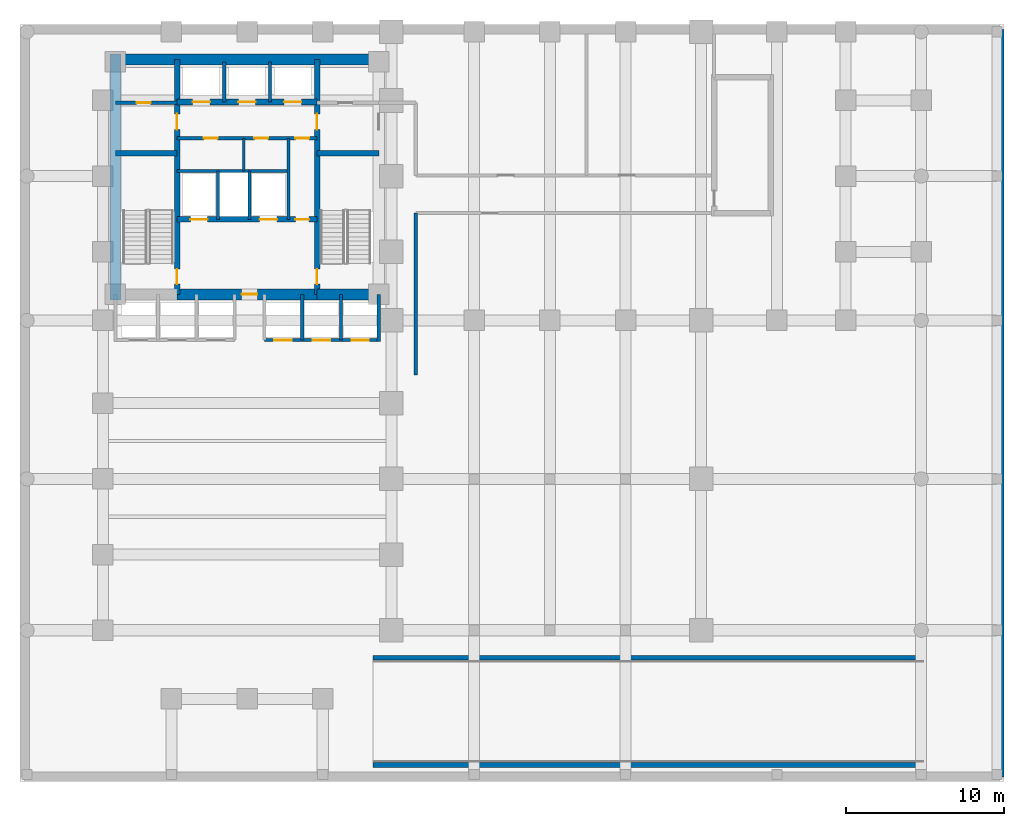
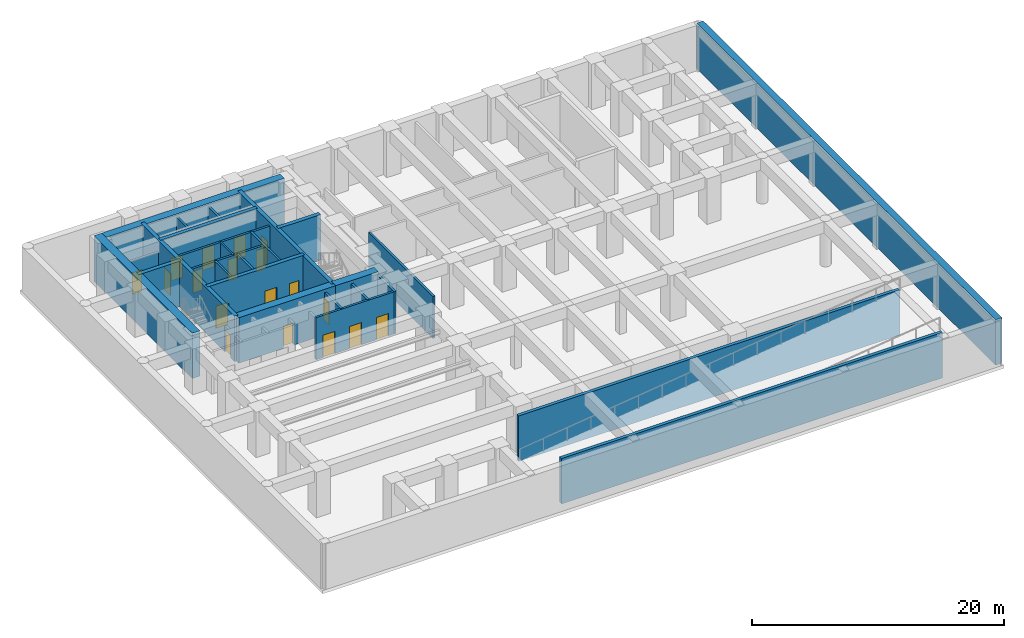
# One storey, part 3 of 6: 27 walls, 18 doors, 18 openings.
"""IFC4 building model written with IfcOpenShell, lengths in metres."""

from ifc_helpers import new_model, si_unit, direction, frame, frame_2d, origin, place, context, subcontext, project, spatial, rectangle, extrude, material, layer, layer_set, type_object, element, fill, save


model = new_model("IFC4")

# Units and contexts
model_context = context("Model", 3, precision=1e-05, world=origin(), true_north=direction((0.0, 1.0)))
body_context = subcontext(model_context, "Body", "Model", "MODEL_VIEW")
ifc_project = project(units=[si_unit("LENGTHUNIT", "METRE"), si_unit("AREAUNIT", "SQUARE_METRE"), si_unit("VOLUMEUNIT", "CUBIC_METRE"), si_unit("PLANEANGLEUNIT", "RADIAN"), si_unit("MASSUNIT", "GRAM", prefix="KILO")], contexts=[model_context])

# Site, building, storey
site_placement = place(None, origin())
site = spatial("IfcSite", under=ifc_project, at=site_placement, CompositionType="ELEMENT")
building_placement = place(site_placement, origin())
building = spatial("IfcBuilding", under=site, at=building_placement, Name="Orvandelia Arch Residences", CompositionType="ELEMENT")
storey_placement = place(building_placement, frame((0.0, 0.0, -8.800048828125)))
storey = spatial("IfcBuildingStorey", under=building, at=storey_placement, Name="B2", CompositionType="ELEMENT", Elevation=-8.800048828125)

# Wall, openings, doors
ifc_material_1 = material(Name="Concrete C50/60", Category="concrete")
ifc_layer_1 = layer(ifc_material_1, 0.35009765625, Name="Concrete C50/60", Category="concrete")
ifc_layer_set_1 = layer_set([ifc_layer_1], Name="Concrete C50/60")
wall_type_1 = type_object("IfcWallType", Name="WL-CORE-350", PredefinedType="SHEAR", material=ifc_layer_set_1)
wall_1_placement = place(storey_placement, frame((9.9599609375, 30.89990234375, 0.0), z_axis=(0.0, 0.0, 1.0), x_axis=(0.0, 1.0, 0.0)))
wall_1 = element("IfcWall", 1, at=wall_1_placement, inside=storey, type_object=wall_type_1, Name="Core Shear Wall B2-WEB1", PredefinedType="SHEAR", context=body_context, shape_type="SweptSolid", body=[
    extrude(rectangle(XDim=14.900146484375, YDim=0.35009765625, at=frame_2d((7.4501953125, 0.0))), origin(), (0.0, 0.0, 1.0), 4.400146484375),
])
opening_1_placement = place(wall_1_placement, frame((0.64990234375, 0.0, 0.0)))
opening_1 = element("IfcOpeningElement", 2, at=opening_1_placement, cuts=wall_1, Name="Opening D7", PredefinedType="OPENING", context=body_context, shape_type="SweptSolid", body=[
    extrude(rectangle(XDim=0.949951171875, YDim=2.10009765625, at=frame_2d((0.47509765625, 1.050048828125))), frame((0.0, 0.18505859375, 0.0), z_axis=(0.0, -1.0, 0.0), x_axis=(1.0, 0.0, 0.0)), (0.0, 0.0, 1.0), 0.3701171875),
])
opening_2_placement = place(wall_1_placement, frame((10.449951171875, 0.0, 0.0)))
opening_2 = element("IfcOpeningElement", 3, at=opening_2_placement, cuts=wall_1, Name="Opening D6", PredefinedType="OPENING", context=body_context, shape_type="SweptSolid", body=[
    extrude(rectangle(XDim=1.0, YDim=2.14990234375, at=frame_2d((0.5, 1.074951171875))), frame((0.0, 0.18505859375, 0.0), z_axis=(0.0, -1.0, 0.0), x_axis=(1.0, 0.0, 0.0)), (0.0, 0.0, 1.0), 0.3701171875),
])
ifc_material_2 = material(Name="Smokeproof Painted Steel Fire Door", Category="steel")
door_type_1 = type_object("IfcDoorType", Name="DR-FD60-1000", OperationType="NOTDEFINED", PredefinedType="DOOR", material=ifc_material_2)
door_1_placement = place(opening_2_placement, origin())
door_1 = element("IfcDoor", 4, at=door_1_placement, inside=storey, type_object=door_type_1, Name="High-Rise Lift Hall West Vestibule Door B2", OperationType="SINGLE_SWING_LEFT", OverallHeight=2.14990234375, OverallWidth=1.0, PredefinedType="DOOR", context=body_context, shape_type="SweptSolid", body=[
    extrude(rectangle(XDim=1.0, YDim=2.14990234375, at=frame_2d((0.5, 1.074951171875))), frame((0.0, 0.02490234375, 0.0), z_axis=(0.0, -1.0, 0.0), x_axis=(1.0, 0.0, 0.0)), (0.0, 0.0, 1.0), 0.050048828125),
])
fill(opening_2, door_1)
ifc_material_3 = material(Name="Pressurised Stairwell Fire Door")
door_type_2 = type_object("IfcDoorType", Name="DR-STAIR-950", OperationType="NOTDEFINED", PredefinedType="DOOR", material=ifc_material_3)
door_2_placement = place(opening_1_placement, origin())
door_2 = element("IfcDoor", 5, at=door_2_placement, inside=storey, type_object=door_type_2, Name="Stairwell ST-1 Fire Door B2", OperationType="SINGLE_SWING_LEFT", OverallHeight=2.10009765625, OverallWidth=0.949951171875, PredefinedType="DOOR", context=body_context, shape_type="SweptSolid", body=[
    extrude(rectangle(XDim=0.949951171875, YDim=2.10009765625, at=frame_2d((0.47509765625, 1.050048828125))), frame((0.0, 0.02490234375, 0.0), z_axis=(0.0, -1.0, 0.0), x_axis=(1.0, 0.0, 0.0)), (0.0, 0.0, 1.0), 0.050048828125),
])
fill(opening_1, door_2)

wall_2_placement = place(storey_placement, frame((18.840087890625, 30.89990234375, 0.0), z_axis=(0.0, 0.0, 1.0), x_axis=(0.0, 1.0, 0.0)))
wall_2 = element("IfcWall", 6, at=wall_2_placement, inside=storey, type_object=wall_type_1, Name="Core Shear Wall B2-WEB2", PredefinedType="SHEAR", context=body_context, shape_type="SweptSolid", body=[
    extrude(rectangle(XDim=14.900146484375, YDim=0.35009765625, at=frame_2d((7.4501953125, 0.0))), origin(), (0.0, 0.0, 1.0), 4.400146484375),
])
opening_3_placement = place(wall_2_placement, frame((0.64990234375, 0.0, 0.0)))
opening_3 = element("IfcOpeningElement", 7, at=opening_3_placement, cuts=wall_2, Name="Opening D7", PredefinedType="OPENING", context=body_context, shape_type="SweptSolid", body=[
    extrude(rectangle(XDim=0.949951171875, YDim=2.10009765625, at=frame_2d((0.47509765625, 1.050048828125))), frame((0.0, 0.18505859375, 0.0), z_axis=(0.0, -1.0, 0.0), x_axis=(1.0, 0.0, 0.0)), (0.0, 0.0, 1.0), 0.3701171875),
])
opening_4_placement = place(wall_2_placement, frame((10.449951171875, 0.0, 0.0)))
opening_4 = element("IfcOpeningElement", 8, at=opening_4_placement, cuts=wall_2, Name="Opening D6", PredefinedType="OPENING", context=body_context, shape_type="SweptSolid", body=[
    extrude(rectangle(XDim=1.0, YDim=2.14990234375, at=frame_2d((0.5, 1.074951171875))), frame((0.0, 0.18505859375, 0.0), z_axis=(0.0, -1.0, 0.0), x_axis=(1.0, 0.0, 0.0)), (0.0, 0.0, 1.0), 0.3701171875),
])
door_3_placement = place(opening_4_placement, origin())
door_3 = element("IfcDoor", 9, at=door_3_placement, inside=storey, type_object=door_type_1, Name="High-Rise Lift Hall East Vestibule Door B2", OperationType="SINGLE_SWING_RIGHT", OverallHeight=2.14990234375, OverallWidth=1.0, PredefinedType="DOOR", context=body_context, shape_type="SweptSolid", body=[
    extrude(rectangle(XDim=1.0, YDim=2.14990234375, at=frame_2d((0.5, 1.074951171875))), frame((0.0, 0.02490234375, 0.0), z_axis=(0.0, -1.0, 0.0), x_axis=(1.0, 0.0, 0.0)), (0.0, 0.0, 1.0), 0.050048828125),
])
fill(opening_4, door_3)
door_4_placement = place(opening_3_placement, origin())
door_4 = element("IfcDoor", 10, at=door_4_placement, inside=storey, type_object=door_type_2, Name="Stairwell ST-2 Fire Door B2", OperationType="SINGLE_SWING_RIGHT", OverallHeight=2.10009765625, OverallWidth=0.949951171875, PredefinedType="DOOR", context=body_context, shape_type="SweptSolid", body=[
    extrude(rectangle(XDim=0.949951171875, YDim=2.10009765625, at=frame_2d((0.47509765625, 1.050048828125))), frame((0.0, 0.02490234375, 0.0), z_axis=(0.0, -1.0, 0.0), x_axis=(1.0, 0.0, 0.0)), (0.0, 0.0, 1.0), 0.050048828125),
])
fill(opening_3, door_4)

# Walls
for number, where, z_axis, x_axis, name in (
    (11, (6.050048828125, 39.85009765625, 0.0), (0.0, 0.0, 1.0), (1.0, 0.0, 0.0), "Core Shear Wall B2-HZ1"),
    (12, (18.840087890625, 39.85009765625, 0.0), (0.0, 0.0, 1.0), (1.0, 0.0, 0.0), "Core Shear Wall B2-HZ2"),
):
    element("IfcWall", number, at=place(storey_placement, frame(where, z_axis=z_axis, x_axis=x_axis)), inside=storey, type_object=wall_type_1, Name=name, PredefinedType="SHEAR", context=body_context, shape_type="SweptSolid", body=[
        extrude(rectangle(XDim=3.909912109375, YDim=0.35009765625, at=frame_2d((1.955078125, 0.0))), origin(), (0.0, 0.0, 1.0), 4.400146484375),
    ])

# Wall, openings, doors
wall_3_placement = place(storey_placement, frame((9.9599609375, 35.64990234375, 0.0), z_axis=(0.0, 0.0, 1.0), x_axis=(1.0, 0.0, 0.0)))
wall_3 = element("IfcWall", 13, at=wall_3_placement, inside=storey, type_object=wall_type_1, Name="Core Shear Wall B2-HZ3", PredefinedType="SHEAR", context=body_context, shape_type="SweptSolid", body=[
    extrude(rectangle(XDim=8.880126953125, YDim=0.35009765625, at=frame_2d((4.43994140625, 0.0))), origin(), (0.0, 0.0, 1.0), 4.400146484375),
])
opening_5_placement = place(wall_3_placement, frame((0.840087890625, 0.0, 0.0)))
opening_5 = element("IfcOpeningElement", 14, at=opening_5_placement, cuts=wall_3, Name="Opening FLD", PredefinedType="OPENING", context=body_context, shape_type="SweptSolid", body=[
    extrude(rectangle(XDim=1.10009765625, YDim=2.14990234375, at=frame_2d((0.550048828125, 1.074951171875))), frame((0.0, 0.18505859375, 0.0), z_axis=(0.0, -1.0, 0.0), x_axis=(1.0, 0.0, 0.0)), (0.0, 0.0, 1.0), 0.3701171875),
])
opening_6_placement = place(wall_3_placement, frame((5.239990234375, 0.0, 0.0)))
opening_6 = element("IfcOpeningElement", 15, at=opening_6_placement, cuts=wall_3, Name="Opening FLD", PredefinedType="OPENING", context=body_context, shape_type="SweptSolid", body=[
    extrude(rectangle(XDim=1.10009765625, YDim=2.14990234375, at=frame_2d((0.550048828125, 1.074951171875))), frame((0.0, 0.18505859375, 0.0), z_axis=(0.0, -1.0, 0.0), x_axis=(1.0, 0.0, 0.0)), (0.0, 0.0, 1.0), 0.3701171875),
])
opening_7_placement = place(wall_3_placement, frame((7.5, 0.0, 0.0)))
opening_7 = element("IfcOpeningElement", 16, at=opening_7_placement, cuts=wall_3, Name="Opening D5", PredefinedType="OPENING", context=body_context, shape_type="SweptSolid", body=[
    extrude(rectangle(XDim=0.8798828125, YDim=2.10009765625, at=frame_2d((0.43994140625, 1.050048828125))), frame((0.0, 0.18505859375, 0.0), z_axis=(0.0, -1.0, 0.0), x_axis=(1.0, 0.0, 0.0)), (0.0, 0.0, 1.0), 0.3701171875),
])
ifc_material_4 = material(Name="Firefighting Lift Stainless Sliding Door")
door_type_3 = type_object("IfcDoorType", Name="DR-FLFT-1100", OperationType="NOTDEFINED", PredefinedType="DOOR", material=ifc_material_4)
door_5_placement = place(opening_5_placement, origin())
door_5 = element("IfcDoor", 17, at=door_5_placement, inside=storey, type_object=door_type_3, Name="Firefighting Lift Landing Door FLD-FL1-B2", OperationType="SLIDING_TO_LEFT", OverallHeight=2.14990234375, OverallWidth=1.10009765625, PredefinedType="DOOR", context=body_context, shape_type="SweptSolid", body=[
    extrude(rectangle(XDim=1.10009765625, YDim=2.14990234375, at=frame_2d((0.550048828125, 1.074951171875))), frame((0.0, 0.02490234375, 0.0), z_axis=(0.0, -1.0, 0.0), x_axis=(1.0, 0.0, 0.0)), (0.0, 0.0, 1.0), 0.050048828125),
])
fill(opening_5, door_5)
door_6_placement = place(opening_6_placement, origin())
door_6 = element("IfcDoor", 18, at=door_6_placement, inside=storey, type_object=door_type_3, Name="Firefighting Lift Landing Door FLD-FL2-B2", OperationType="SLIDING_TO_RIGHT", OverallHeight=2.14990234375, OverallWidth=1.10009765625, PredefinedType="DOOR", context=body_context, shape_type="SweptSolid", body=[
    extrude(rectangle(XDim=1.10009765625, YDim=2.14990234375, at=frame_2d((0.550048828125, 1.074951171875))), frame((0.0, 0.02490234375, 0.0), z_axis=(0.0, -1.0, 0.0), x_axis=(1.0, 0.0, 0.0)), (0.0, 0.0, 1.0), 0.050048828125),
])
fill(opening_6, door_6)
ifc_material_5 = material(Name="Painted Galvanised Steel Service Door", Category="steel")
door_type_4 = type_object("IfcDoorType", Name="DR-SRV-880", OperationType="NOTDEFINED", PredefinedType="DOOR", material=ifc_material_5)
door_7_placement = place(opening_7_placement, origin())
door_7 = element("IfcDoor", 19, at=door_7_placement, inside=storey, type_object=door_type_4, Name="Core Stairway Passage South Fire Door B2", OperationType="SINGLE_SWING_LEFT", OverallHeight=2.10009765625, OverallWidth=0.8798828125, PredefinedType="DOOR", context=body_context, shape_type="SweptSolid", body=[
    extrude(rectangle(XDim=0.8798828125, YDim=2.10009765625, at=frame_2d((0.43994140625, 1.050048828125))), frame((0.0, 0.02490234375, 0.0), z_axis=(0.0, -1.0, 0.0), x_axis=(1.0, 0.0, 0.0)), (0.0, 0.0, 1.0), 0.050048828125),
])
fill(opening_7, door_7)

wall_4_placement = place(storey_placement, frame((9.9599609375, 43.10009765625, 0.0), z_axis=(0.0, 0.0, 1.0), x_axis=(1.0, 0.0, 0.0)))
wall_4 = element("IfcWall", 20, at=wall_4_placement, inside=storey, type_object=wall_type_1, Name="Core Shear Wall B2-HZ4", PredefinedType="SHEAR", context=body_context, shape_type="SweptSolid", body=[
    extrude(rectangle(XDim=8.880126953125, YDim=0.35009765625, at=frame_2d((4.43994140625, 0.0))), origin(), (0.0, 0.0, 1.0), 4.400146484375),
])
opening_8_placement = place(wall_4_placement, frame((0.989990234375, 0.0, 0.0)))
opening_8 = element("IfcOpeningElement", 21, at=opening_8_placement, cuts=wall_4, Name="Opening LD", PredefinedType="OPENING", context=body_context, shape_type="SweptSolid", body=[
    extrude(rectangle(XDim=1.10009765625, YDim=2.14990234375, at=frame_2d((0.550048828125, 1.074951171875))), frame((0.0, 0.18505859375, 0.0), z_axis=(0.0, -1.0, 0.0), x_axis=(1.0, 0.0, 0.0)), (0.0, 0.0, 1.0), 0.3701171875),
])
opening_9_placement = place(wall_4_placement, frame((3.889892578125, 0.0, 0.0)))
opening_9 = element("IfcOpeningElement", 22, at=opening_9_placement, cuts=wall_4, Name="Opening LD", PredefinedType="OPENING", context=body_context, shape_type="SweptSolid", body=[
    extrude(rectangle(XDim=1.10009765625, YDim=2.14990234375, at=frame_2d((0.550048828125, 1.074951171875))), frame((0.0, 0.18505859375, 0.0), z_axis=(0.0, -1.0, 0.0), x_axis=(1.0, 0.0, 0.0)), (0.0, 0.0, 1.0), 0.3701171875),
])
opening_10_placement = place(wall_4_placement, frame((6.7900390625, 0.0, 0.0)))
opening_10 = element("IfcOpeningElement", 23, at=opening_10_placement, cuts=wall_4, Name="Opening LD", PredefinedType="OPENING", context=body_context, shape_type="SweptSolid", body=[
    extrude(rectangle(XDim=1.10009765625, YDim=2.14990234375, at=frame_2d((0.550048828125, 1.074951171875))), frame((0.0, 0.18505859375, 0.0), z_axis=(0.0, -1.0, 0.0), x_axis=(1.0, 0.0, 0.0)), (0.0, 0.0, 1.0), 0.3701171875),
])
ifc_material_6 = material(Name="Brushed Stainless Steel Sliding Lift Door", Category="steel")
door_type_5 = type_object("IfcDoorType", Name="DR-LIFT-1100", OperationType="NOTDEFINED", PredefinedType="DOOR", material=ifc_material_6)
door_8_placement = place(opening_8_placement, origin())
door_8 = element("IfcDoor", 24, at=door_8_placement, inside=storey, type_object=door_type_5, Name="Lift Landing Door LD-PH1-B2", OperationType="SLIDING_TO_LEFT", OverallHeight=2.14990234375, OverallWidth=1.10009765625, PredefinedType="DOOR", context=body_context, shape_type="SweptSolid", body=[
    extrude(rectangle(XDim=1.10009765625, YDim=2.14990234375, at=frame_2d((0.550048828125, 1.074951171875))), frame((0.0, 0.02490234375, 0.0), z_axis=(0.0, -1.0, 0.0), x_axis=(1.0, 0.0, 0.0)), (0.0, 0.0, 1.0), 0.050048828125),
])
fill(opening_8, door_8)
door_9_placement = place(opening_9_placement, origin())
door_9 = element("IfcDoor", 25, at=door_9_placement, inside=storey, type_object=door_type_5, Name="Lift Landing Door LD-PH2-B2", OperationType="SLIDING_TO_RIGHT", OverallHeight=2.14990234375, OverallWidth=1.10009765625, PredefinedType="DOOR", context=body_context, shape_type="SweptSolid", body=[
    extrude(rectangle(XDim=1.10009765625, YDim=2.14990234375, at=frame_2d((0.550048828125, 1.074951171875))), frame((0.0, 0.02490234375, 0.0), z_axis=(0.0, -1.0, 0.0), x_axis=(1.0, 0.0, 0.0)), (0.0, 0.0, 1.0), 0.050048828125),
])
fill(opening_9, door_9)
door_10_placement = place(opening_10_placement, origin())
door_10 = element("IfcDoor", 26, at=door_10_placement, inside=storey, type_object=door_type_5, Name="Lift Landing Door LD-PH3-B2", OperationType="SLIDING_TO_LEFT", OverallHeight=2.14990234375, OverallWidth=1.10009765625, PredefinedType="DOOR", context=body_context, shape_type="SweptSolid", body=[
    extrude(rectangle(XDim=1.10009765625, YDim=2.14990234375, at=frame_2d((0.550048828125, 1.074951171875))), frame((0.0, 0.02490234375, 0.0), z_axis=(0.0, -1.0, 0.0), x_axis=(1.0, 0.0, 0.0)), (0.0, 0.0, 1.0), 0.050048828125),
])
fill(opening_10, door_10)

# Walls
ifc_material_7 = material(Name="Concrete C80/95", Category="concrete")
ifc_layer_2 = layer(ifc_material_7, 0.699951171875, Name="Concrete C80/95", Category="concrete")
ifc_layer_set_2 = layer_set([ifc_layer_2], Name="Concrete C80/95")
wall_type_2 = type_object("IfcWallType", Name="WL-CORE-700", PredefinedType="SHEAR", material=ifc_layer_set_2)
wall_5_placement = place(storey_placement, frame((6.050048828125, 30.550048828125, 0.0), z_axis=(0.0, 0.0, 1.0), x_axis=(0.0, 1.0, 0.0)))
element("IfcWall", 27, at=wall_5_placement, inside=storey, type_object=wall_type_2, Name="Core Shear Wall B2-W", PredefinedType="SHEAR", context=body_context, shape_type="SweptSolid", body=[
    extrude(rectangle(XDim=15.599853515625, YDim=0.699951171875, at=frame_2d((7.7998046875, 0.0))), origin(), (0.0, 0.0, 1.0), 4.400146484375),
])
wall_6_placement = place(storey_placement, frame((6.050048828125, 45.800048828125, 0.0), z_axis=(0.0, 0.0, 1.0), x_axis=(1.0, 0.0, 0.0)))
element("IfcWall", 28, at=wall_6_placement, inside=storey, type_object=wall_type_2, Name="Core Shear Wall B2-N", PredefinedType="SHEAR", context=body_context, shape_type="SweptSolid", body=[
    extrude(rectangle(XDim=16.699951171875, YDim=0.699951171875, at=frame_2d((8.35009765625, 0.0))), origin(), (0.0, 0.0, 1.0), 4.400146484375),
])

# Wall, opening, door
wall_7_placement = place(storey_placement, frame((9.9599609375, 30.89990234375, 0.0), z_axis=(0.0, 0.0, 1.0), x_axis=(1.0, 0.0, 0.0)))
wall_7 = element("IfcWall", 29, at=wall_7_placement, inside=storey, type_object=wall_type_2, Name="Core Shear Wall B2-SM", PredefinedType="SHEAR", context=body_context, shape_type="SweptSolid", body=[
    extrude(rectangle(XDim=8.880126953125, YDim=0.699951171875, at=frame_2d((4.43994140625, 0.0))), origin(), (0.0, 0.0, 1.0), 4.400146484375),
])
opening_11_placement = place(wall_7_placement, frame((4.090087890625, 0.0, 0.0)))
opening_11 = element("IfcOpeningElement", 30, at=opening_11_placement, cuts=wall_7, Name="Opening D6", PredefinedType="OPENING", context=body_context, shape_type="SweptSolid", body=[
    extrude(rectangle(XDim=1.0, YDim=2.14990234375, at=frame_2d((0.5, 1.074951171875))), frame((0.0, 0.35986328125, 0.0), z_axis=(0.0, -1.0, 0.0), x_axis=(1.0, 0.0, 0.0)), (0.0, 0.0, 1.0), 0.719970703125),
])
door_11_placement = place(opening_11_placement, origin())
door_11 = element("IfcDoor", 31, at=door_11_placement, inside=storey, type_object=door_type_1, Name="Firefighting Lobby Smokeproof Door B2", OperationType="SINGLE_SWING_LEFT", OverallHeight=2.14990234375, OverallWidth=1.0, PredefinedType="DOOR", context=body_context, shape_type="SweptSolid", body=[
    extrude(rectangle(XDim=1.0, YDim=2.14990234375, at=frame_2d((0.5, 1.074951171875))), frame((0.0, 0.02490234375, 0.0), z_axis=(0.0, -1.0, 0.0), x_axis=(1.0, 0.0, 0.0)), (0.0, 0.0, 1.0), 0.050048828125),
])
fill(opening_11, door_11)

# Walls
wall_8_placement = place(storey_placement, frame((18.840087890625, 30.89990234375, 0.0), z_axis=(0.0, 0.0, 1.0), x_axis=(1.0, 0.0, 0.0)))
element("IfcWall", 32, at=wall_8_placement, inside=storey, type_object=wall_type_2, Name="Core Shear Wall B2-SE", PredefinedType="SHEAR", context=body_context, shape_type="SweptSolid", body=[
    extrude(rectangle(XDim=3.909912109375, YDim=0.699951171875, at=frame_2d((1.955078125, 0.0))), origin(), (0.0, 0.0, 1.0), 4.400146484375),
])
ifc_material_8 = material(Name="Fire-Rated Corridor Partition")
ifc_layer_3 = layer(ifc_material_8, 0.199951171875, Name="Fire-Rated Corridor Partition")
ifc_layer_set_3 = layer_set([ifc_layer_3], Name="Fire-Rated Corridor Partition")
wall_type_3 = type_object("IfcWallType", Name="WL-CORR-200", PredefinedType="PARTITIONING", material=ifc_layer_set_3)
wall_9_placement = place(storey_placement, frame((25.10009765625, 25.800048828125, 0.0), z_axis=(0.0, 0.0, 1.0), x_axis=(0.0, 1.0, 0.0)))
element("IfcWall", 33, at=wall_9_placement, inside=storey, type_object=wall_type_3, Name="Interior Partition Wall WL-B2-BC-E1", PredefinedType="PARTITIONING", context=body_context, shape_type="SweptSolid", body=[
    extrude(rectangle(XDim=10.25, YDim=0.199951171875, at=frame_2d((5.125, 0.0))), origin(), (0.0, 0.0, 1.0), 4.080078125),
])
ifc_material_9 = material(Name="Acoustic Gypsum Stud Partition")
ifc_layer_4 = layer(ifc_material_9, 0.14990234375, Name="Acoustic Gypsum Stud Partition")
ifc_layer_set_4 = layer_set([ifc_layer_4], Name="Acoustic Gypsum Stud Partition")
wall_type_4 = type_object("IfcWallType", Name="WL-PART-150", PredefinedType="PARTITIONING", material=ifc_layer_set_4)
wall_10_placement = place(storey_placement, frame((14.199951171875, 38.719970703125, 0.0), z_axis=(0.0, 0.0, 1.0), x_axis=(0.0, 1.0, 0.0)))
element("IfcWall", 34, at=wall_10_placement, inside=storey, type_object=wall_type_4, Name="Interior Partition Wall WL-B2-CSA-1", PredefinedType="PARTITIONING", context=body_context, shape_type="SweptSolid", body=[
    extrude(rectangle(XDim=2.080078125, YDim=0.14990234375, at=frame_2d((1.0400390625, 0.0))), origin(), (0.0, 0.0, 1.0), 4.080078125),
])
ifc_material_10 = material(Name="Concrete C40/50", Category="concrete")
ifc_layer_5 = layer(ifc_material_10, 0.300048828125, Name="Concrete C40/50", Category="concrete")
ifc_layer_set_5 = layer_set([ifc_layer_5], Name="Concrete C40/50")
wall_type_5 = type_object("IfcWallType", Name="WL-RAMP-300", PredefinedType="SOLIDWALL", material=ifc_layer_set_5)
for number, where, z_axis, x_axis, name in (
    (35, (22.39990234375, 7.85009765625, 0.0), (0.0, 0.0, 1.0), (1.0, 0.0, 0.0), "Vehicle Ramp Bearing Wall B2-N"),
    (36, (22.39990234375, 1.050048828125, 0.0), (0.0, 0.0, 1.0), (1.0, 0.0, 0.0), "Vehicle Ramp Bearing Wall B2-S"),
):
    element("IfcWall", number, at=place(storey_placement, frame(where, z_axis=z_axis, x_axis=x_axis)), inside=storey, type_object=wall_type_5, Name=name, PredefinedType="SOLIDWALL", context=body_context, shape_type="SweptSolid", body=[
        extrude(rectangle(XDim=34.900146484375, YDim=0.300048828125, at=frame_2d((17.4501953125, 0.0))), origin(), (0.0, 0.0, 1.0), 4.400146484375),
    ])
ifc_layer_6 = layer(ifc_material_1, 0.60009765625, Name="Concrete C50/60", Category="concrete")
ifc_layer_set_6 = layer_set([ifc_layer_6], Name="Concrete C50/60")
wall_type_6 = type_object("IfcWallType", Name="WL-RET-600", PredefinedType="USERDEFINED", material=ifc_layer_set_6)
wall_11_placement = place(storey_placement, frame((62.10009765625, 0.300048828125, 0.0), z_axis=(0.0, 0.0, 1.0), x_axis=(0.0, 1.0, 0.0)))
element("IfcWall", 37, at=wall_11_placement, inside=storey, type_object=wall_type_6, Name="Basement Diaphragm Retaining Wall B2-E", ObjectType="RETAININGWALL", PredefinedType="USERDEFINED", context=body_context, shape_type="SweptSolid", body=[
    extrude(rectangle(XDim=47.39990234375, YDim=0.60009765625, at=frame_2d((23.699951171875, 0.0))), origin(), (0.0, 0.0, 1.0), 4.400146484375),
])
ifc_material_11 = material(Name="Fire-Rated Shaft Enclosure Wall")
ifc_layer_7 = layer(ifc_material_11, 0.199951171875, Name="Fire-Rated Shaft Enclosure Wall")
ifc_layer_set_7 = layer_set([ifc_layer_7], Name="Fire-Rated Shaft Enclosure Wall")
wall_type_7 = type_object("IfcWallType", Name="WL-SHAFT-200", PredefinedType="POLYGONAL", material=ifc_layer_set_7)
wall_12_placement = place(storey_placement, frame((9.9599609375, 38.719970703125, 0.0), z_axis=(0.0, 0.0, 1.0), x_axis=(1.0, 0.0, 0.0)))
element("IfcWall", 38, at=wall_12_placement, inside=storey, type_object=wall_type_7, Name="Interior Partition Wall WL-B2-FLN", PredefinedType="POLYGONAL", context=body_context, shape_type="SweptSolid", body=[
    extrude(rectangle(XDim=7.06005859375, YDim=0.199951171875, at=frame_2d((3.530029296875, 0.0))), origin(), (0.0, 0.0, 1.0), 4.080078125),
])
for number, where, z_axis, x_axis, name in (
    (39, (12.550048828125, 35.64990234375, 0.0), (0.0, 0.0, 1.0), (0.0, 1.0, 0.0), "Interior Partition Wall WL-B2-FLM1"),
    (40, (14.550048828125, 35.64990234375, 0.0), (0.0, 0.0, 1.0), (0.0, 1.0, 0.0), "Interior Partition Wall WL-B2-FLM2"),
):
    element("IfcWall", number, at=place(storey_placement, frame(where, z_axis=z_axis, x_axis=x_axis)), inside=storey, type_object=wall_type_7, Name=name, PredefinedType="POLYGONAL", context=body_context, shape_type="SweptSolid", body=[
        extrude(rectangle(XDim=3.070068359375, YDim=0.199951171875, at=frame_2d((1.53515625, 0.0))), origin(), (0.0, 0.0, 1.0), 4.080078125),
    ])
wall_13_placement = place(storey_placement, frame((17.02001953125, 35.64990234375, 0.0), z_axis=(0.0, 0.0, 1.0), x_axis=(0.0, 1.0, 0.0)))
element("IfcWall", 41, at=wall_13_placement, inside=storey, type_object=wall_type_7, Name="Interior Partition Wall WL-B2-FLM3", PredefinedType="POLYGONAL", context=body_context, shape_type="SweptSolid", body=[
    extrude(rectangle(XDim=5.150146484375, YDim=0.199951171875, at=frame_2d((2.5751953125, 0.0))), origin(), (0.0, 0.0, 1.0), 4.080078125),
])

# Wall, openings, doors
wall_14_placement = place(storey_placement, frame((9.9599609375, 40.800048828125, 0.0), z_axis=(0.0, 0.0, 1.0), x_axis=(1.0, 0.0, 0.0)))
wall_14 = element("IfcWall", 42, at=wall_14_placement, inside=storey, type_object=wall_type_7, Name="Interior Partition Wall WL-B2-HLH-S", PredefinedType="POLYGONAL", context=body_context, shape_type="SweptSolid", body=[
    extrude(rectangle(XDim=8.880126953125, YDim=0.199951171875, at=frame_2d((4.43994140625, 0.0))), origin(), (0.0, 0.0, 1.0), 4.080078125),
])
opening_12_placement = place(wall_14_placement, frame((7.5, 0.0, 0.0)))
opening_12 = element("IfcOpeningElement", 43, at=opening_12_placement, cuts=wall_14, Name="Opening D5", PredefinedType="OPENING", context=body_context, shape_type="SweptSolid", body=[
    extrude(rectangle(XDim=0.8798828125, YDim=2.10009765625, at=frame_2d((0.43994140625, 1.050048828125))), frame((0.0, 0.10986328125, 0.0), z_axis=(0.0, -1.0, 0.0), x_axis=(1.0, 0.0, 0.0)), (0.0, 0.0, 1.0), 0.219970703125),
])
opening_13_placement = place(wall_14_placement, frame((1.699951171875, 0.0, 0.0)))
opening_13 = element("IfcOpeningElement", 44, at=opening_13_placement, cuts=wall_14, Name="Opening D5", PredefinedType="OPENING", context=body_context, shape_type="SweptSolid", body=[
    extrude(rectangle(XDim=0.8798828125, YDim=2.10009765625, at=frame_2d((0.43994140625, 1.050048828125))), frame((0.0, 0.10986328125, 0.0), z_axis=(0.0, -1.0, 0.0), x_axis=(1.0, 0.0, 0.0)), (0.0, 0.0, 1.0), 0.219970703125),
])
opening_14_placement = place(wall_14_placement, frame((4.89990234375, 0.0, 0.0)))
opening_14 = element("IfcOpeningElement", 45, at=opening_14_placement, cuts=wall_14, Name="Opening D5", PredefinedType="OPENING", context=body_context, shape_type="SweptSolid", body=[
    extrude(rectangle(XDim=0.8798828125, YDim=2.10009765625, at=frame_2d((0.43994140625, 1.050048828125))), frame((0.0, 0.10986328125, 0.0), z_axis=(0.0, -1.0, 0.0), x_axis=(1.0, 0.0, 0.0)), (0.0, 0.0, 1.0), 0.219970703125),
])
door_12_placement = place(opening_12_placement, origin())
door_12 = element("IfcDoor", 46, at=door_12_placement, inside=storey, type_object=door_type_4, Name="Core Stairway Passage North Fire Door B2", OperationType="SINGLE_SWING_RIGHT", OverallHeight=2.10009765625, OverallWidth=0.8798828125, PredefinedType="DOOR", context=body_context, shape_type="SweptSolid", body=[
    extrude(rectangle(XDim=0.8798828125, YDim=2.10009765625, at=frame_2d((0.43994140625, 1.050048828125))), frame((0.0, 0.02490234375, 0.0), z_axis=(0.0, -1.0, 0.0), x_axis=(1.0, 0.0, 0.0)), (0.0, 0.0, 1.0), 0.050048828125),
])
fill(opening_12, door_12)
door_13_placement = place(opening_13_placement, origin())
door_13 = element("IfcDoor", 47, at=door_13_placement, inside=storey, type_object=door_type_4, Name="DR-B2-CSA1", OperationType="SINGLE_SWING_LEFT", OverallHeight=2.10009765625, OverallWidth=0.8798828125, PredefinedType="DOOR", context=body_context, shape_type="SweptSolid", body=[
    extrude(rectangle(XDim=0.8798828125, YDim=2.10009765625, at=frame_2d((0.43994140625, 1.050048828125))), frame((0.0, 0.02490234375, 0.0), z_axis=(0.0, -1.0, 0.0), x_axis=(1.0, 0.0, 0.0)), (0.0, 0.0, 1.0), 0.050048828125),
])
fill(opening_13, door_13)
door_14_placement = place(opening_14_placement, origin())
door_14 = element("IfcDoor", 48, at=door_14_placement, inside=storey, type_object=door_type_4, Name="DR-B2-CSA2", OperationType="SINGLE_SWING_RIGHT", OverallHeight=2.10009765625, OverallWidth=0.8798828125, PredefinedType="DOOR", context=body_context, shape_type="SweptSolid", body=[
    extrude(rectangle(XDim=0.8798828125, YDim=2.10009765625, at=frame_2d((0.43994140625, 1.050048828125))), frame((0.0, 0.02490234375, 0.0), z_axis=(0.0, -1.0, 0.0), x_axis=(1.0, 0.0, 0.0)), (0.0, 0.0, 1.0), 0.050048828125),
])
fill(opening_14, door_14)

# Wall, opening, door
wall_15_placement = place(storey_placement, frame((6.050048828125, 43.050048828125, 0.0), z_axis=(0.0, 0.0, 1.0), x_axis=(1.0, 0.0, 0.0)))
wall_15 = element("IfcWall", 49, at=wall_15_placement, inside=storey, type_object=wall_type_7, Name="Interior Partition Wall WL-B2-HLW-N", PredefinedType="POLYGONAL", context=body_context, shape_type="SweptSolid", body=[
    extrude(rectangle(XDim=3.909912109375, YDim=0.199951171875, at=frame_2d((1.955078125, 0.0))), origin(), (0.0, 0.0, 1.0), 3.280029296875),
])
opening_15_placement = place(wall_15_placement, frame((1.35009765625, 0.0, 0.0)))
opening_15 = element("IfcOpeningElement", 50, at=opening_15_placement, cuts=wall_15, Name="Opening D5", PredefinedType="OPENING", context=body_context, shape_type="SweptSolid", body=[
    extrude(rectangle(XDim=0.8798828125, YDim=2.10009765625, at=frame_2d((0.43994140625, 1.050048828125))), frame((0.0, 0.10986328125, 0.0), z_axis=(0.0, -1.0, 0.0), x_axis=(1.0, 0.0, 0.0)), (0.0, 0.0, 1.0), 0.219970703125),
])
door_15_placement = place(opening_15_placement, origin())
door_15 = element("IfcDoor", 51, at=door_15_placement, inside=storey, type_object=door_type_4, Name="Riser Service Door B2", OperationType="SINGLE_SWING_RIGHT", OverallHeight=2.10009765625, OverallWidth=0.8798828125, PredefinedType="DOOR", context=body_context, shape_type="SweptSolid", body=[
    extrude(rectangle(XDim=0.8798828125, YDim=2.10009765625, at=frame_2d((0.43994140625, 1.050048828125))), frame((0.0, 0.02490234375, 0.0), z_axis=(0.0, -1.0, 0.0), x_axis=(1.0, 0.0, 0.0)), (0.0, 0.0, 1.0), 0.050048828125),
])
fill(opening_15, door_15)

# Walls
for number, where, z_axis, x_axis, name in (
    (52, (12.949951171875, 43.10009765625, 0.0), (0.0, 0.0, 1.0), (0.0, 1.0, 0.0), "Interior Partition Wall WL-B2-PHD1"),
    (53, (15.85009765625, 43.10009765625, 0.0), (0.0, 0.0, 1.0), (0.0, 1.0, 0.0), "Interior Partition Wall WL-B2-PHD2"),
):
    element("IfcWall", number, at=place(storey_placement, frame(where, z_axis=z_axis, x_axis=x_axis)), inside=storey, type_object=wall_type_7, Name=name, PredefinedType="POLYGONAL", context=body_context, shape_type="SweptSolid", body=[
        extrude(rectangle(XDim=2.5498046875, YDim=0.199951171875, at=frame_2d((1.27490234375, 0.0))), origin(), (0.0, 0.0, 1.0), 4.080078125),
    ])

# Wall, openings, doors
wall_16_placement = place(storey_placement, frame((15.5, 28.0, 0.0), z_axis=(0.0, 0.0, 1.0), x_axis=(1.0, 0.0, 0.0)))
wall_16 = element("IfcWall", 54, at=wall_16_placement, inside=storey, type_object=wall_type_7, Name="Interior Partition Wall WL-B2-BNKM-S", PredefinedType="POLYGONAL", context=body_context, shape_type="SweptSolid", body=[
    extrude(rectangle(XDim=7.25, YDim=0.199951171875, at=frame_2d((3.625, 0.0))), origin(), (0.0, 0.0, 1.0), 4.080078125),
])
opening_16_placement = place(wall_16_placement, frame((0.625, 0.0, 0.0)))
opening_16 = element("IfcOpeningElement", 55, at=opening_16_placement, cuts=wall_16, Name="Opening LD", PredefinedType="OPENING", context=body_context, shape_type="SweptSolid", body=[
    extrude(rectangle(XDim=1.10009765625, YDim=2.14990234375, at=frame_2d((0.550048828125, 1.074951171875))), frame((0.0, 0.10986328125, 0.0), z_axis=(0.0, -1.0, 0.0), x_axis=(1.0, 0.0, 0.0)), (0.0, 0.0, 1.0), 0.219970703125),
])
opening_17_placement = place(wall_16_placement, frame((3.074951171875, 0.0, 0.0)))
opening_17 = element("IfcOpeningElement", 56, at=opening_17_placement, cuts=wall_16, Name="Opening LD", PredefinedType="OPENING", context=body_context, shape_type="SweptSolid", body=[
    extrude(rectangle(XDim=1.10009765625, YDim=2.14990234375, at=frame_2d((0.550048828125, 1.074951171875))), frame((0.0, 0.10986328125, 0.0), z_axis=(0.0, -1.0, 0.0), x_axis=(1.0, 0.0, 0.0)), (0.0, 0.0, 1.0), 0.219970703125),
])
opening_18_placement = place(wall_16_placement, frame((5.52490234375, 0.0, 0.0)))
opening_18 = element("IfcOpeningElement", 57, at=opening_18_placement, cuts=wall_16, Name="Opening LD", PredefinedType="OPENING", context=body_context, shape_type="SweptSolid", body=[
    extrude(rectangle(XDim=1.10009765625, YDim=2.14990234375, at=frame_2d((0.550048828125, 1.074951171875))), frame((0.0, 0.10986328125, 0.0), z_axis=(0.0, -1.0, 0.0), x_axis=(1.0, 0.0, 0.0)), (0.0, 0.0, 1.0), 0.219970703125),
])
door_16_placement = place(opening_16_placement, origin())
door_16 = element("IfcDoor", 58, at=door_16_placement, inside=storey, type_object=door_type_5, Name="Lift Landing Door LD-PM1", OperationType="SLIDING_TO_RIGHT", OverallHeight=2.14990234375, OverallWidth=1.10009765625, PredefinedType="DOOR", context=body_context, shape_type="SweptSolid", body=[
    extrude(rectangle(XDim=1.10009765625, YDim=2.14990234375, at=frame_2d((0.550048828125, 1.074951171875))), frame((0.0, 0.02490234375, 0.0), z_axis=(0.0, -1.0, 0.0), x_axis=(1.0, 0.0, 0.0)), (0.0, 0.0, 1.0), 0.050048828125),
])
fill(opening_16, door_16)
door_17_placement = place(opening_17_placement, origin())
door_17 = element("IfcDoor", 59, at=door_17_placement, inside=storey, type_object=door_type_5, Name="Lift Landing Door LD-PM2", OperationType="SLIDING_TO_LEFT", OverallHeight=2.14990234375, OverallWidth=1.10009765625, PredefinedType="DOOR", context=body_context, shape_type="SweptSolid", body=[
    extrude(rectangle(XDim=1.10009765625, YDim=2.14990234375, at=frame_2d((0.550048828125, 1.074951171875))), frame((0.0, 0.02490234375, 0.0), z_axis=(0.0, -1.0, 0.0), x_axis=(1.0, 0.0, 0.0)), (0.0, 0.0, 1.0), 0.050048828125),
])
fill(opening_17, door_17)
door_18_placement = place(opening_18_placement, origin())
door_18 = element("IfcDoor", 60, at=door_18_placement, inside=storey, type_object=door_type_5, Name="Lift Landing Door LD-PM3", OperationType="SLIDING_TO_RIGHT", OverallHeight=2.14990234375, OverallWidth=1.10009765625, PredefinedType="DOOR", context=body_context, shape_type="SweptSolid", body=[
    extrude(rectangle(XDim=1.10009765625, YDim=2.14990234375, at=frame_2d((0.550048828125, 1.074951171875))), frame((0.0, 0.02490234375, 0.0), z_axis=(0.0, -1.0, 0.0), x_axis=(1.0, 0.0, 0.0)), (0.0, 0.0, 1.0), 0.050048828125),
])
fill(opening_18, door_18)

# Walls
wall_17_placement = place(storey_placement, frame((22.75, 27.89990234375, 0.0), z_axis=(0.0, 0.0, 1.0), x_axis=(0.0, 1.0, 0.0)))
element("IfcWall", 61, at=wall_17_placement, inside=storey, type_object=wall_type_7, Name="Interior Partition Wall WL-B2-BNKM-E", PredefinedType="POLYGONAL", context=body_context, shape_type="SweptSolid", body=[
    extrude(rectangle(XDim=3.0, YDim=0.199951171875, at=frame_2d((1.5, 0.0))), origin(), (0.0, 0.0, 1.0), 4.080078125),
])
for number, where, z_axis, x_axis, name in (
    (62, (17.89990234375, 28.0, 0.0), (0.0, 0.0, 1.0), (0.0, 1.0, 0.0), "Interior Partition Wall WL-B2-BNKD-1789"),
    (63, (20.35009765625, 28.0, 0.0), (0.0, 0.0, 1.0), (0.0, 1.0, 0.0), "Interior Partition Wall WL-B2-BNKD-2035"),
):
    element("IfcWall", number, at=place(storey_placement, frame(where, z_axis=z_axis, x_axis=x_axis)), inside=storey, type_object=wall_type_7, Name=name, PredefinedType="POLYGONAL", context=body_context, shape_type="SweptSolid", body=[
        extrude(rectangle(XDim=2.89990234375, YDim=0.199951171875, at=frame_2d((1.449951171875, 0.0))), origin(), (0.0, 0.0, 1.0), 4.080078125),
    ])

save(model, "model.ifc")
